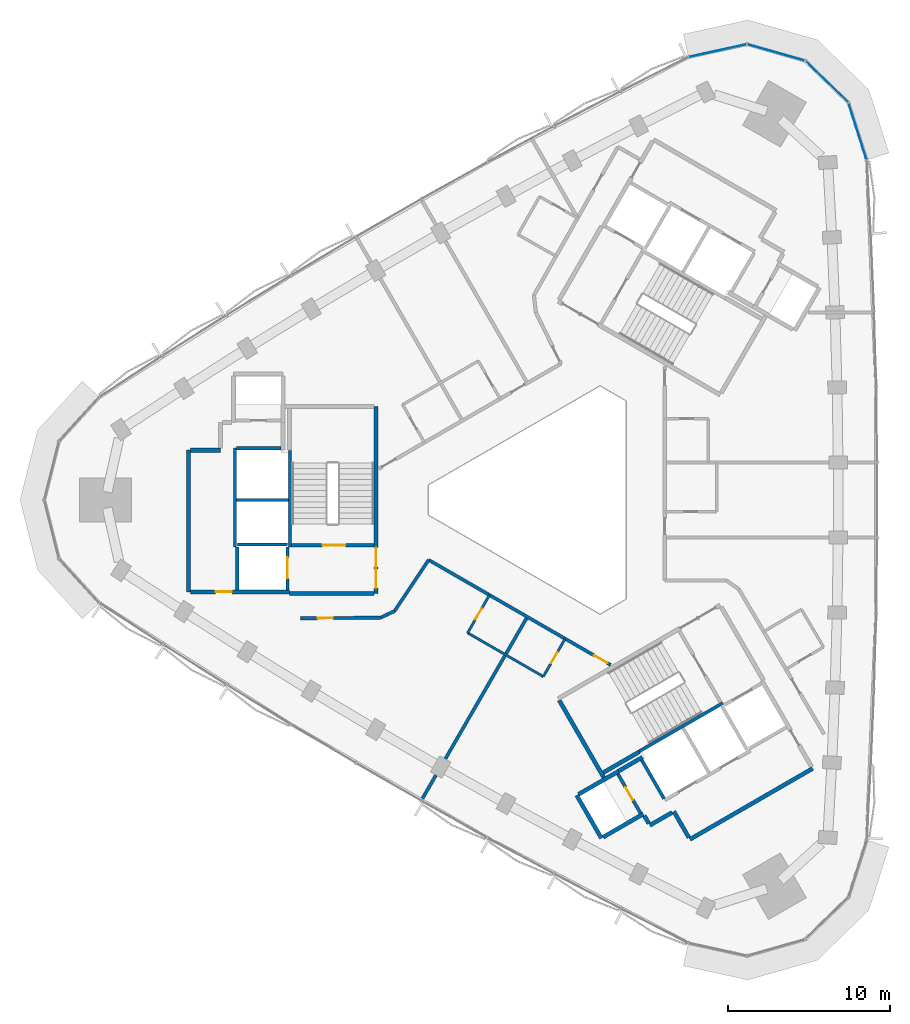
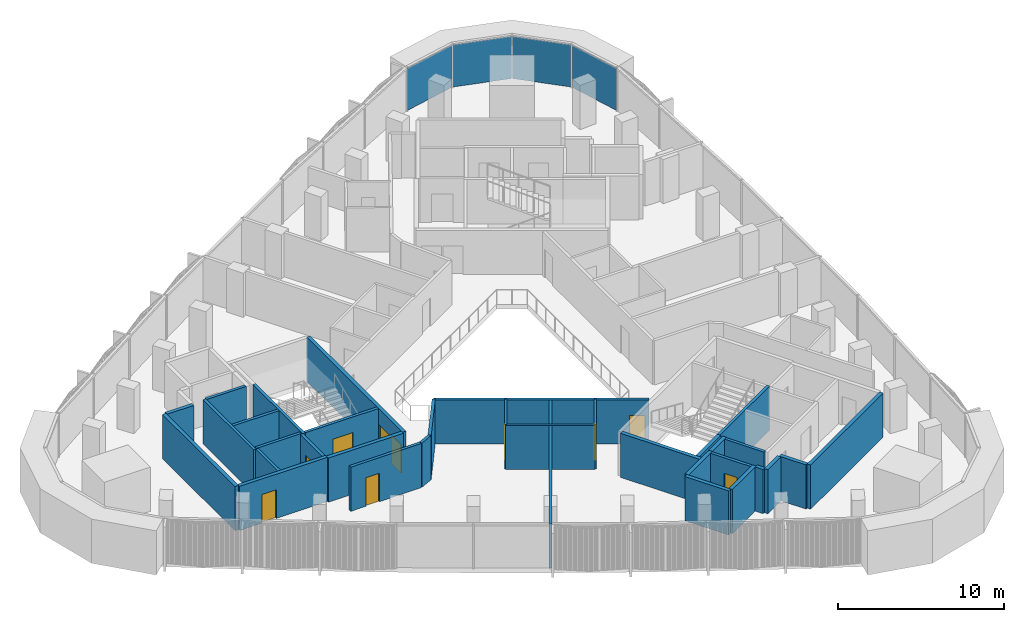
# One storey, part 7 of 13: 34 walls, 10 doors, 4 plates, 10 openings, 1 element without a shape of its own.
"""IFC4 building model written with IfcOpenShell, lengths in metres."""

from ifc_helpers import new_model, si_unit, direction, frame, frame_2d, origin, origin_2d, place, context, subcontext, project, spatial, rectangle, extrude, material, layer, layer_set, type_object, element, fill, aggregate, save


model = new_model("IFC4")

# Units and contexts
model_context = context("Model", 3, precision=1e-05, world=origin(), true_north=direction((0.0, 1.0)))
body_context = subcontext(model_context, "Body", "Model", "MODEL_VIEW")
ifc_project = project(units=[si_unit("LENGTHUNIT", "METRE"), si_unit("AREAUNIT", "SQUARE_METRE"), si_unit("VOLUMEUNIT", "CUBIC_METRE"), si_unit("PLANEANGLEUNIT", "RADIAN"), si_unit("MASSUNIT", "GRAM", prefix="KILO")], contexts=[model_context])

# Site, building, storey
site_placement = place(None, origin())
site = spatial("IfcSite", under=ifc_project, at=site_placement, CompositionType="ELEMENT")
building_placement = place(site_placement, origin())
building = spatial("IfcBuilding", under=site, at=building_placement, Name="Tamra Quay Hotel Tower", CompositionType="ELEMENT")
storey_placement = place(building_placement, frame((0.0, 0.0, 193.60009765625)))
storey = spatial("IfcBuildingStorey", under=building, at=storey_placement, Name="L48", CompositionType="ELEMENT", Elevation=193.60009765625)

# Curtain wall, plates
ifc_material_1 = material(Name="Aluminium 6063 anodised dark grey", Category="aluminium")
curtain_wall_type = type_object("IfcCurtainWallType", Name="CW1 CURTAIN WALL", PredefinedType="NOTDEFINED", material=ifc_material_1)
curtain_wall_placement = place(storey_placement, origin())
curtain_wall = element("IfcCurtainWall", 1, at=curtain_wall_placement, inside=storey, type_object=curtain_wall_type, Name="CW1 east face L48", PredefinedType="NOTDEFINED")
ifc_material_2 = material(Name="Glass clear laminated low-iron", Category="glass")
ifc_layer_1 = layer(ifc_material_2, 0.030029296875)
ifc_layer_set_1 = layer_set([ifc_layer_1], Name="GLASS PANEL CW1 Z4")
plate_type = type_object("IfcPlateType", Name="GLASS PANEL CW1 Z4", PredefinedType="CURTAIN_PANEL", material=ifc_layer_set_1)
plate_1_placement = place(storey_placement, frame((18.91064453125, 22.779541015625, 0.0), z_axis=(0.0, 0.0, 1.0), x_axis=(-0.303410479682, 0.952859948166, 0.0)))
plate_1 = element("IfcPlate", 2, at=plate_1_placement, type_object=plate_type, Name="CW1 glass L48.E.10", PredefinedType="CURTAIN_PANEL", context=body_context, shape_type="SweptSolid", body=[
    extrude(rectangle(XDim=3.62353515625, YDim=0.030029296875, at=origin_2d()), origin(), (0.0, 0.0, 1.0), 3.110107421875),
])
plate_2_placement = place(storey_placement, frame((17.009033203125, 25.849365234375, 0.0), z_axis=(0.0, 0.0, 1.0), x_axis=(-0.717974699393, 0.696069199888, 0.0)))
plate_2 = element("IfcPlate", 3, at=plate_2_placement, type_object=plate_type, Name="CW1 glass L48.E.11", PredefinedType="CURTAIN_PANEL", context=body_context, shape_type="SweptSolid", body=[
    extrude(rectangle(XDim=3.62353515625, YDim=0.030029296875, at=origin_2d()), origin(), (0.0, 0.0, 1.0), 3.110107421875),
])
plate_3_placement = place(storey_placement, frame((13.881591796875, 27.655029296875, 0.0), z_axis=(0.0, 0.0, 1.0), x_axis=(-0.961800959591, 0.273749729005, 0.0)))
plate_3 = element("IfcPlate", 4, at=plate_3_placement, type_object=plate_type, Name="CW1 glass L48.E.12", PredefinedType="CURTAIN_PANEL", context=body_context, shape_type="SweptSolid", body=[
    extrude(rectangle(XDim=3.62353515625, YDim=0.030029296875, at=origin_2d()), origin(), (0.0, 0.0, 1.0), 3.110107421875),
])
plate_4_placement = place(storey_placement, frame((10.272216796875, 27.766845703125, 0.0), z_axis=(0.0, 0.0, 1.0), x_axis=(-0.976906161202, -0.213668790904, 0.0)))
plate_4 = element("IfcPlate", 5, at=plate_4_placement, type_object=plate_type, Name="CW1 glass L48.E.13", PredefinedType="CURTAIN_PANEL", context=body_context, shape_type="SweptSolid", body=[
    extrude(rectangle(XDim=3.62353515625, YDim=0.030029296875, at=origin_2d()), origin(), (0.0, 0.0, 1.0), 3.110107421875),
])
aggregate(curtain_wall, [plate_1, plate_2, plate_3, plate_4])

# Walls
ifc_material_3 = material(Name="Concrete M70", Category="concrete")
ifc_layer_2 = layer(ifc_material_3, 0.199951171875)
ifc_layer_set_2 = layer_set([ifc_layer_2], Name="Concrete M70 core wall 200")
wall_type_1 = type_object("IfcWallType", Name="Concrete M70 core wall 200", PredefinedType="SHEAR", material=ifc_layer_set_2)
wall_1_placement = place(storey_placement, frame((-16.162109375, 3.073974609375, 0.0), z_axis=(0.0, 0.0, 1.0), x_axis=(0.0, -1.0, 0.0)))
element("IfcWall", 6, at=wall_1_placement, inside=storey, type_object=wall_type_1, Name="CW2", PredefinedType="SHEAR", context=body_context, shape_type="SweptSolid", body=[
    extrude(rectangle(XDim=5.97412109375, YDim=0.199951171875, at=frame_2d((2.987060546875, 0.0))), origin(), (0.0, 0.0, 1.0), 3.25),
])
wall_2_placement = place(storey_placement, frame((-19.5625, -2.900146484375, 0.0), z_axis=(0.0, 0.0, 1.0), x_axis=(0.0, 1.0, 0.0)))
element("IfcWall", 7, at=wall_2_placement, inside=storey, type_object=wall_type_1, Name="CW2", PredefinedType="SHEAR", context=body_context, shape_type="SweptSolid", body=[
    extrude(rectangle(XDim=6.100341796875, YDim=0.199951171875, at=frame_2d((3.05029296875, 0.0))), origin(), (0.0, 0.0, 1.0), 3.25),
])

# Wall, opening, door
wall_3_placement = place(storey_placement, frame((-10.96337890625, -2.800048828125, 0.0), z_axis=(0.0, 0.0, 1.0), x_axis=(-1.0, 0.0, 0.0)))
wall_3 = element("IfcWall", 8, at=wall_3_placement, inside=storey, type_object=wall_type_1, Name="CW2", PredefinedType="SHEAR", context=body_context, shape_type="SweptSolid", body=[
    extrude(rectangle(XDim=5.097900390625, YDim=0.199951171875, at=frame_2d((2.548828125, 0.0))), origin(), (0.0, 0.0, 1.0), 3.25),
])
opening_1_placement = place(wall_3_placement, frame((1.77392578125, 0.0, 0.0)))
opening_1 = element("IfcOpeningElement", 9, at=opening_1_placement, cuts=wall_3, Name="Opening FD2", PredefinedType="OPENING", context=body_context, shape_type="SweptSolid", body=[
    extrude(rectangle(XDim=1.39990234375, YDim=2.10009765625, at=frame_2d((0.699951171875, 1.050048828125))), frame((0.0, 0.10986328125, 0.0), z_axis=(0.0, -1.0, 0.0), x_axis=(1.0, 0.0, 0.0)), (0.0, 0.0, 1.0), 0.219970703125),
])
ifc_material_4 = material(Name="Core door FD2 1400x2100 LH")
door_type_1 = type_object("IfcDoorType", Name="Core door FD2 1400x2100 LH", OperationType="NOTDEFINED", PredefinedType="DOOR", material=ifc_material_4)
door_1_placement = place(opening_1_placement, origin())
door_1 = element("IfcDoor", 10, at=door_1_placement, inside=storey, type_object=door_type_1, Name="FD2", OperationType="SINGLE_SWING_LEFT", OverallHeight=2.10009765625, OverallWidth=1.39990234375, PredefinedType="DOOR", context=body_context, shape_type="SweptSolid", body=[
    extrude(rectangle(XDim=1.39990234375, YDim=2.10009765625, at=frame_2d((0.699951171875, 1.050048828125))), frame((0.0, 0.02490234375, 0.0), z_axis=(0.0, -1.0, 0.0), x_axis=(1.0, 0.0, 0.0)), (0.0, 0.0, 1.0), 0.050048828125),
])
fill(opening_1, door_1)

# Walls
wall_4_placement = place(storey_placement, frame((-16.26318359375, 0.0, 0.0), z_axis=(0.0, 0.0, 1.0), x_axis=(-1.0, 0.0, 0.0)))
element("IfcWall", 11, at=wall_4_placement, inside=storey, type_object=wall_type_1, Name="CW2", PredefinedType="SHEAR", context=body_context, shape_type="SweptSolid", body=[
    extrude(rectangle(XDim=3.1982421875, YDim=0.199951171875, at=frame_2d((1.59912109375, 0.0))), origin(), (0.0, 0.0, 1.0), 3.25),
])
wall_5_placement = place(storey_placement, frame((-19.46240234375, 3.2001953125, 0.0), z_axis=(0.0, 0.0, 1.0), x_axis=(1.0, 0.0, 0.0)))
element("IfcWall", 12, at=wall_5_placement, inside=storey, type_object=wall_type_1, Name="CW2", PredefinedType="SHEAR", context=body_context, shape_type="SweptSolid", body=[
    extrude(rectangle(XDim=2.759033203125, YDim=0.199951171875, at=frame_2d((1.37939453125, 0.0))), origin(), (0.0, 0.0, 1.0), 3.25),
])
wall_6_placement = place(storey_placement, frame((-19.412353515625, -2.75, 0.0), z_axis=(0.0, 0.0, 1.0), x_axis=(1.0, 0.0, 0.0)))
element("IfcWall", 13, at=wall_6_placement, inside=storey, type_object=wall_type_1, Name="CW2", PredefinedType="SHEAR", context=body_context, shape_type="SweptSolid", body=[
    extrude(rectangle(XDim=3.10009765625, YDim=0.199951171875, at=frame_2d((1.550048828125, 0.0))), origin(), (0.0, 0.0, 1.0), 3.25),
])

# Wall, opening, door
wall_7_placement = place(storey_placement, frame((-16.312255859375, -2.898193359375, 0.0), z_axis=(0.0, 0.0, 1.0), x_axis=(0.0, -1.0, 0.0)))
wall_7 = element("IfcWall", 14, at=wall_7_placement, inside=storey, type_object=wall_type_1, Name="CW2", PredefinedType="SHEAR", context=body_context, shape_type="SweptSolid", body=[
    extrude(rectangle(XDim=2.65087890625, YDim=0.199951171875, at=frame_2d((1.325439453125, 0.0))), origin(), (0.0, 0.0, 1.0), 3.25),
])
opening_2_placement = place(wall_7_placement, frame((0.65185546875, 0.0, 0.0)))
opening_2 = element("IfcOpeningElement", 15, at=opening_2_placement, cuts=wall_7, Name="Opening LD", PredefinedType="OPENING", context=body_context, shape_type="SweptSolid", body=[
    extrude(rectangle(XDim=1.300048828125, YDim=2.10009765625, at=frame_2d((0.64990234375, 1.050048828125))), frame((0.0, 0.10986328125, 0.0), z_axis=(0.0, -1.0, 0.0), x_axis=(1.0, 0.0, 0.0)), (0.0, 0.0, 1.0), 0.219970703125),
])
ifc_material_5 = material(Name="Landing door LD 1300 sliding to left")
door_type_2 = type_object("IfcDoorType", Name="Landing door LD 1300 sliding to left", OperationType="NOTDEFINED", PredefinedType="DOOR", material=ifc_material_5)
door_2_placement = place(opening_2_placement, origin())
door_2 = element("IfcDoor", 16, at=door_2_placement, inside=storey, type_object=door_type_2, Name="LD", OperationType="SLIDING_TO_LEFT", OverallHeight=2.10009765625, OverallWidth=1.300048828125, PredefinedType="DOOR", context=body_context, shape_type="SweptSolid", body=[
    extrude(rectangle(XDim=1.300048828125, YDim=2.10009765625, at=frame_2d((0.64990234375, 1.050048828125))), frame((0.0, 0.02490234375, 0.0), z_axis=(0.0, -1.0, 0.0), x_axis=(1.0, 0.0, 0.0)), (0.0, 0.0, 1.0), 0.050048828125),
])
fill(opening_2, door_2)

# Walls
wall_8_placement = place(storey_placement, frame((-19.412353515625, -5.549072265625, 0.0), z_axis=(0.0, 0.0, 1.0), x_axis=(0.0, 1.0, 0.0)))
element("IfcWall", 17, at=wall_8_placement, inside=storey, type_object=wall_type_1, Name="CW2", PredefinedType="SHEAR", context=body_context, shape_type="SweptSolid", body=[
    extrude(rectangle(XDim=2.65087890625, YDim=0.199951171875, at=frame_2d((1.325439453125, 0.0))), origin(), (0.0, 0.0, 1.0), 3.25),
])
wall_9_placement = place(storey_placement, frame((5.4189453125, -15.533935546875, 0.0), z_axis=(0.0, 0.0, 1.0), x_axis=(0.866029065029, 0.499993658486, 0.0)))
element("IfcWall", 18, at=wall_9_placement, inside=storey, type_object=wall_type_1, Name="CW2", PredefinedType="SHEAR", context=body_context, shape_type="SweptSolid", body=[
    extrude(rectangle(XDim=5.97412109375, YDim=0.199951171875, at=frame_2d((2.987060546875, 0.0))), origin(), (0.0, 0.0, 1.0), 3.25),
])

# Wall, opening, door
wall_10_placement = place(storey_placement, frame((5.50341796875, -19.352294921875, 0.0), z_axis=(0.0, 0.0, 1.0), x_axis=(-0.499986818241, 0.866033014143, 0.0)))
wall_10 = element("IfcWall", 19, at=wall_10_placement, inside=storey, type_object=wall_type_1, Name="CW2", PredefinedType="SHEAR", context=body_context, shape_type="SweptSolid", body=[
    extrude(rectangle(XDim=2.7978515625, YDim=0.199951171875, at=frame_2d((1.39892578125, 0.0))), origin(), (0.0, 0.0, 1.0), 3.25),
])
opening_3_placement = place(wall_10_placement, frame((0.948974609375, 0.0, 0.0)))
opening_3 = element("IfcOpeningElement", 20, at=opening_3_placement, cuts=wall_10, Name="Opening D1", PredefinedType="OPENING", context=body_context, shape_type="SweptSolid", body=[
    extrude(rectangle(XDim=0.89990234375, YDim=2.10009765625, at=frame_2d((0.449951171875, 1.050048828125))), frame((0.0, 0.10986328125, 0.0), z_axis=(0.0, -1.0, 0.0), x_axis=(1.0, 0.0, 0.0)), (0.0, 0.0, 1.0), 0.219970703125),
])
ifc_material_6 = material(Name="Core door D1 900x2100 LH")
door_type_3 = type_object("IfcDoorType", Name="Core door D1 900x2100 LH", OperationType="NOTDEFINED", PredefinedType="DOOR", material=ifc_material_6)
door_3_placement = place(opening_3_placement, origin())
door_3 = element("IfcDoor", 21, at=door_3_placement, inside=storey, type_object=door_type_3, Name="D1", OperationType="SINGLE_SWING_LEFT", OverallHeight=2.10009765625, OverallWidth=0.89990234375, PredefinedType="DOOR", context=body_context, shape_type="SweptSolid", body=[
    extrude(rectangle(XDim=0.89990234375, YDim=2.10009765625, at=frame_2d((0.449951171875, 1.050048828125))), frame((0.0, 0.02490234375, 0.0), z_axis=(0.0, -1.0, 0.0), x_axis=(1.0, 0.0, 0.0)), (0.0, 0.0, 1.0), 0.050048828125),
])
fill(opening_3, door_3)

# Wall
wall_11_placement = place(storey_placement, frame((6.959716796875, -18.455078125, 0.0), z_axis=(0.0, 0.0, 1.0), x_axis=(-0.499926705758, 0.866067716099, 0.0)))
element("IfcWall", 22, at=wall_11_placement, inside=storey, type_object=wall_type_1, Name="CW2", PredefinedType="SHEAR", context=body_context, shape_type="SweptSolid", body=[
    extrude(rectangle(XDim=2.75927734375, YDim=0.199951171875, at=frame_2d((1.379638671875, 0.0))), origin(), (0.0, 0.0, 1.0), 3.25),
])

# Wall, openings, doors
ifc_layer_3 = layer(ifc_material_3, 0.25)
ifc_layer_set_3 = layer_set([ifc_layer_3], Name="Concrete M70 core wall 250")
wall_type_2 = type_object("IfcWallType", Name="Concrete M70 core wall 250", PredefinedType="SHEAR", material=ifc_layer_set_3)
wall_12_placement = place(storey_placement, frame((-10.83740234375, 5.77490234375, 0.0), z_axis=(0.0, 0.0, 1.0), x_axis=(0.0, -1.0, 0.0)))
wall_12 = element("IfcWall", 23, at=wall_12_placement, inside=storey, type_object=wall_type_2, Name="CW1", PredefinedType="SHEAR", context=body_context, shape_type="SweptSolid", body=[
    extrude(rectangle(XDim=11.5498046875, YDim=0.25, at=frame_2d((5.77490234375, 0.0))), origin(), (0.0, 0.0, 1.0), 3.25),
])
opening_4_placement = place(wall_12_placement, frame((10.02490234375, 0.0, 0.0)))
opening_4 = element("IfcOpeningElement", 24, at=opening_4_placement, cuts=wall_12, Name="Opening FD1", PredefinedType="OPENING", context=body_context, shape_type="SweptSolid", body=[
    extrude(rectangle(XDim=1.199951171875, YDim=2.10009765625, at=frame_2d((0.60009765625, 1.050048828125))), frame((0.0, 0.135009765625, 0.0), z_axis=(0.0, -1.0, 0.0), x_axis=(1.0, 0.0, 0.0)), (0.0, 0.0, 1.0), 0.27001953125),
])
opening_5_placement = place(wall_12_placement, frame((8.72509765625, 0.0, 0.0)))
opening_5 = element("IfcOpeningElement", 25, at=opening_5_placement, cuts=wall_12, Name="Opening FD1", PredefinedType="OPENING", context=body_context, shape_type="SweptSolid", body=[
    extrude(rectangle(XDim=1.199951171875, YDim=2.10009765625, at=frame_2d((0.60009765625, 1.050048828125))), frame((0.0, 0.135009765625, 0.0), z_axis=(0.0, -1.0, 0.0), x_axis=(1.0, 0.0, 0.0)), (0.0, 0.0, 1.0), 0.27001953125),
])
ifc_material_7 = material(Name="Core door FD1 1200x2100 LH")
door_type_4 = type_object("IfcDoorType", Name="Core door FD1 1200x2100 LH", OperationType="NOTDEFINED", PredefinedType="DOOR", material=ifc_material_7)
door_4_placement = place(opening_4_placement, origin())
door_4 = element("IfcDoor", 26, at=door_4_placement, inside=storey, type_object=door_type_4, Name="FD1", OperationType="SINGLE_SWING_LEFT", OverallHeight=2.10009765625, OverallWidth=1.199951171875, PredefinedType="DOOR", context=body_context, shape_type="SweptSolid", body=[
    extrude(rectangle(XDim=1.199951171875, YDim=2.10009765625, at=frame_2d((0.60009765625, 1.050048828125))), frame((0.0, 0.02490234375, 0.0), z_axis=(0.0, -1.0, 0.0), x_axis=(1.0, 0.0, 0.0)), (0.0, 0.0, 1.0), 0.050048828125),
])
fill(opening_4, door_4)
ifc_material_8 = material(Name="Core door FD1 1200x2100 RH")
door_type_5 = type_object("IfcDoorType", Name="Core door FD1 1200x2100 RH", OperationType="NOTDEFINED", PredefinedType="DOOR", material=ifc_material_8)
door_5_placement = place(opening_5_placement, origin())
door_5 = element("IfcDoor", 27, at=door_5_placement, inside=storey, type_object=door_type_5, Name="FD1", OperationType="SINGLE_SWING_RIGHT", OverallHeight=2.10009765625, OverallWidth=1.199951171875, PredefinedType="DOOR", context=body_context, shape_type="SweptSolid", body=[
    extrude(rectangle(XDim=1.199951171875, YDim=2.10009765625, at=frame_2d((0.60009765625, 1.050048828125))), frame((0.0, 0.02490234375, 0.0), z_axis=(0.0, -1.0, 0.0), x_axis=(1.0, 0.0, 0.0)), (0.0, 0.0, 1.0), 0.050048828125),
])
fill(opening_5, door_5)

# Wall
wall_13_placement = place(storey_placement, frame((-22.437255859375, -5.675048828125, 0.0), z_axis=(0.0, 0.0, 1.0), x_axis=(0.0, 1.0, 0.0)))
element("IfcWall", 28, at=wall_13_placement, inside=storey, type_object=wall_type_2, Name="CW1", PredefinedType="SHEAR", context=body_context, shape_type="SweptSolid", body=[
    extrude(rectangle(XDim=8.75, YDim=0.25, at=frame_2d((4.375, 0.0))), origin(), (0.0, 0.0, 1.0), 3.25),
])

# Wall, opening, door
wall_14_placement = place(storey_placement, frame((-16.187255859375, -5.675048828125, 0.0), z_axis=(0.0, 0.0, 1.0), x_axis=(-1.0, 0.0, 0.0)))
wall_14 = element("IfcWall", 29, at=wall_14_placement, inside=storey, type_object=wall_type_2, Name="CW1", PredefinedType="SHEAR", context=body_context, shape_type="SweptSolid", body=[
    extrude(rectangle(XDim=6.12451171875, YDim=0.25, at=frame_2d((3.062255859375, 0.0))), origin(), (0.0, 0.0, 1.0), 3.25),
])
opening_6_placement = place(wall_14_placement, frame((3.562744140625, 0.0, 0.0)))
opening_6 = element("IfcOpeningElement", 30, at=opening_6_placement, cuts=wall_14, Name="Opening FD3", PredefinedType="OPENING", context=body_context, shape_type="SweptSolid", body=[
    extrude(rectangle(XDim=1.0, YDim=2.10009765625, at=frame_2d((0.5, 1.050048828125))), frame((0.0, 0.135009765625, 0.0), z_axis=(0.0, -1.0, 0.0), x_axis=(1.0, 0.0, 0.0)), (0.0, 0.0, 1.0), 0.27001953125),
])
ifc_material_9 = material(Name="Core door FD3 1000x2100 LH")
door_type_6 = type_object("IfcDoorType", Name="Core door FD3 1000x2100 LH", OperationType="NOTDEFINED", PredefinedType="DOOR", material=ifc_material_9)
door_6_placement = place(opening_6_placement, origin())
door_6 = element("IfcDoor", 31, at=door_6_placement, inside=storey, type_object=door_type_6, Name="FD3", OperationType="SINGLE_SWING_LEFT", OverallHeight=2.10009765625, OverallWidth=1.0, PredefinedType="DOOR", context=body_context, shape_type="SweptSolid", body=[
    extrude(rectangle(XDim=1.0, YDim=2.10009765625, at=frame_2d((0.5, 1.050048828125))), frame((0.0, 0.02490234375, 0.0), z_axis=(0.0, -1.0, 0.0), x_axis=(1.0, 0.0, 0.0)), (0.0, 0.0, 1.0), 0.050048828125),
])
fill(opening_6, door_6)

# Walls
wall_15_placement = place(storey_placement, frame((-10.962646484375, -5.77490234375, 0.0), z_axis=(0.0, 0.0, 1.0), x_axis=(-1.0, 0.0, 0.0)))
element("IfcWall", 32, at=wall_15_placement, inside=storey, type_object=wall_type_2, Name="CW1", PredefinedType="SHEAR", context=body_context, shape_type="SweptSolid", body=[
    extrude(rectangle(XDim=5.224609375, YDim=0.25, at=frame_2d((2.6123046875, 0.0))), origin(), (0.0, 0.0, 1.0), 3.25),
])
wall_16_placement = place(storey_placement, frame((-22.311767578125, 3.074951171875, 0.0), z_axis=(0.0, 0.0, 1.0), x_axis=(1.0, 0.0, 0.0)))
element("IfcWall", 33, at=wall_16_placement, inside=storey, type_object=wall_type_2, Name="CW1", PredefinedType="SHEAR", context=body_context, shape_type="SweptSolid", body=[
    extrude(rectangle(XDim=1.864501953125, YDim=0.25, at=frame_2d((0.93212890625, 0.0))), origin(), (0.0, 0.0, 1.0), 3.25),
])
wall_17_placement = place(storey_placement, frame((16.13330078125, -16.59375, 0.0), z_axis=(0.0, 0.0, 1.0), x_axis=(-0.866022959057, -0.500004234368, 0.0)))
element("IfcWall", 34, at=wall_17_placement, inside=storey, type_object=wall_type_2, Name="CW1", PredefinedType="SHEAR", context=body_context, shape_type="SweptSolid", body=[
    extrude(rectangle(XDim=8.75, YDim=0.25, at=frame_2d((4.375, 0.0))), origin(), (0.0, 0.0, 1.0), 3.25),
])
wall_18_placement = place(storey_placement, frame((3.23486328125, -17.15283203125, 0.0), z_axis=(0.0, 0.0, 1.0), x_axis=(-0.500008851346, 0.866020293397, 0.0)))
element("IfcWall", 35, at=wall_18_placement, inside=storey, type_object=wall_type_2, Name="CW1", PredefinedType="SHEAR", context=body_context, shape_type="SweptSolid", body=[
    extrude(rectangle(XDim=5.509765625, YDim=0.25, at=frame_2d((2.7548828125, 0.0))), origin(), (0.0, 0.0, 1.0), 3.25),
])
wall_19_placement = place(storey_placement, frame((3.085205078125, -20.893798828125, 0.0), z_axis=(0.0, 0.0, 1.0), x_axis=(-0.499978833458, 0.866037623948, 0.0)))
element("IfcWall", 36, at=wall_19_placement, inside=storey, type_object=wall_type_2, Name="CW1", PredefinedType="SHEAR", context=body_context, shape_type="SweptSolid", body=[
    extrude(rectangle(XDim=3.050048828125, YDim=0.25, at=frame_2d((1.52490234375, 0.0))), origin(), (0.0, 0.0, 1.0), 3.25),
])
wall_20_placement = place(storey_placement, frame((1.6689453125, -18.189697265625, 0.0), z_axis=(0.0, 0.0, 1.0), x_axis=(0.866042235819, 0.499970844928, 0.0)))
element("IfcWall", 37, at=wall_20_placement, inside=storey, type_object=wall_type_2, Name="CW1", PredefinedType="SHEAR", context=body_context, shape_type="SweptSolid", body=[
    extrude(rectangle(XDim=2.864501953125, YDim=0.25, at=frame_2d((1.43212890625, 0.0))), origin(), (0.0, 0.0, 1.0), 3.25),
])
wall_21_placement = place(storey_placement, frame((5.6748046875, -19.39892578125, 0.0), z_axis=(0.0, 0.0, 1.0), x_axis=(-0.866026637627, -0.499997862916, 0.0)))
element("IfcWall", 38, at=wall_21_placement, inside=storey, type_object=wall_type_2, Name="CW1", PredefinedType="SHEAR", context=body_context, shape_type="SweptSolid", body=[
    extrude(rectangle(XDim=2.86474609375, YDim=0.25, at=frame_2d((1.432373046875, 0.0))), origin(), (0.0, 0.0, 1.0), 3.25),
])
wall_22_placement = place(storey_placement, frame((5.4306640625, -15.55615234375, 0.0), z_axis=(0.0, 0.0, 1.0), x_axis=(-0.866022940537, -0.500004266446, 0.0)))
element("IfcWall", 39, at=wall_22_placement, inside=storey, type_object=wall_type_2, Name="CW1", PredefinedType="SHEAR", context=body_context, shape_type="SweptSolid", body=[
    extrude(rectangle(XDim=2.57470703125, YDim=0.25, at=frame_2d((1.287353515625, 0.0))), origin(), (0.0, 0.0, 1.0), 3.25),
])
wall_23_placement = place(storey_placement, frame((8.492919921875, -20.860107421875, 0.0), z_axis=(0.0, 0.0, 1.0), x_axis=(-0.500039802285, 0.866002422705, 0.0)))
element("IfcWall", 40, at=wall_23_placement, inside=storey, type_object=wall_type_2, Name="CW1", PredefinedType="SHEAR", context=body_context, shape_type="SweptSolid", body=[
    extrude(rectangle(XDim=1.864501953125, YDim=0.25, at=frame_2d((0.93212890625, 0.0))), origin(), (0.0, 0.0, 1.0), 3.25),
])
wall_24_placement = place(storey_placement, frame((4.144775390625, -16.748779296875, 0.0), z_axis=(0.0, 0.0, 1.0), x_axis=(0.866038183914, 0.499977863513, 0.0)))
element("IfcWall", 41, at=wall_24_placement, inside=storey, type_object=wall_type_2, Name="CW1", PredefinedType="SHEAR", context=body_context, shape_type="SweptSolid", body=[
    extrude(rectangle(XDim=1.7099609375, YDim=0.25, at=frame_2d((0.85498046875, 0.0))), origin(), (0.0, 0.0, 1.0), 3.25),
])
wall_25_placement = place(storey_placement, frame((7.451904296875, -19.30810546875, 0.0), z_axis=(0.0, 0.0, 1.0), x_axis=(-0.866044474677, -0.49996696679, 0.0)))
element("IfcWall", 42, at=wall_25_placement, inside=storey, type_object=wall_type_2, Name="CW1", PredefinedType="SHEAR", context=body_context, shape_type="SweptSolid", body=[
    extrude(rectangle(XDim=1.58447265625, YDim=0.25, at=frame_2d((0.792236328125, 0.0))), origin(), (0.0, 0.0, 1.0), 3.25),
])
wall_26_placement = place(storey_placement, frame((6.01708984375, -19.99169921875, 0.0), z_axis=(0.0, 0.0, 1.0), x_axis=(-0.500364886717, 0.865814633822, 0.0)))
element("IfcWall", 43, at=wall_26_placement, inside=storey, type_object=wall_type_2, Name="CW1", PredefinedType="SHEAR", context=body_context, shape_type="SweptSolid", body=[
    extrude(rectangle(XDim=0.55908203125, YDim=0.25, at=frame_2d((0.279541015625, 0.0))), origin(), (0.0, 0.0, 1.0), 3.25),
])

# Wall, opening, door
ifc_material_10 = material(Name="Partition corridor wall")
ifc_layer_4 = layer(ifc_material_10, 0.199951171875)
ifc_layer_set_4 = layer_set([ifc_layer_4], Name="Partition corridor wall")
wall_type_3 = type_object("IfcWallType", Name="Partition corridor wall", PredefinedType="PARTITIONING", material=ifc_layer_set_4)
wall_27_placement = place(storey_placement, frame((-15.5, -7.31005859375, 0.0), z_axis=(0.0, 0.0, 1.0), x_axis=(0.999965631649, 0.008290688749, 0.0)))
wall_27 = element("IfcWall", 44, at=wall_27_placement, inside=storey, type_object=wall_type_3, Name="W-C", PredefinedType="PARTITIONING", context=body_context, shape_type="SweptSolid", body=[
    extrude(rectangle(XDim=4.947265625, YDim=0.199951171875, at=frame_2d((2.4736328125, 0.0))), origin(), (0.0, 0.0, 1.0), 3.25),
])
opening_7_placement = place(wall_27_placement, frame((1.047119140625, 0.0, 0.0)))
opening_7 = element("IfcOpeningElement", 45, at=opening_7_placement, cuts=wall_27, Name="Opening L48-D007", PredefinedType="OPENING", context=body_context, shape_type="SweptSolid", body=[
    extrude(rectangle(XDim=0.949951171875, YDim=2.10009765625, at=frame_2d((0.47509765625, 1.050048828125))), frame((0.0, 0.10986328125, 0.0), z_axis=(0.0, -1.0, 0.0), x_axis=(1.0, 0.0, 0.0)), (0.0, 0.0, 1.0), 0.219970703125),
])
ifc_material_11 = material(Name="Door guest room 950x2100")
door_type_7 = type_object("IfcDoorType", Name="Door guest room 950x2100", OperationType="NOTDEFINED", PredefinedType="DOOR", material=ifc_material_11)
door_7_placement = place(opening_7_placement, frame((0.949951171875, 0.0, 0.0), z_axis=(0.0, 0.0, 1.0), x_axis=(-1.0, 0.0, 0.0)))
door_7 = element("IfcDoor", 46, at=door_7_placement, inside=storey, type_object=door_type_7, Name="L48-D007", OperationType="SINGLE_SWING_LEFT", OverallHeight=2.10009765625, OverallWidth=0.949951171875, PredefinedType="DOOR", context=body_context, shape_type="SweptSolid", body=[
    extrude(rectangle(XDim=0.949951171875, YDim=2.10009765625, at=frame_2d((0.47509765625, 1.050048828125))), frame((0.0, 0.02490234375, 0.0), z_axis=(0.0, -1.0, 0.0), x_axis=(1.0, 0.0, 0.0)), (0.0, 0.0, 1.0), 0.050048828125),
])
fill(opening_7, door_7)

# Walls
wall_28_placement = place(storey_placement, frame((-10.552001953125, -7.26806640625, 0.0), z_axis=(0.0, 0.0, 1.0), x_axis=(0.904331815333, 0.426830139255, 0.0)))
element("IfcWall", 47, at=wall_28_placement, inside=storey, type_object=wall_type_3, Name="W-C", PredefinedType="PARTITIONING", context=body_context, shape_type="SweptSolid", body=[
    extrude(rectangle(XDim=0.9443359375, YDim=0.199951171875, at=frame_2d((0.47216796875, 0.0))), origin(), (0.0, 0.0, 1.0), 3.25),
])
wall_29_placement = place(storey_placement, frame((-9.697021484375, -6.864013671875, 0.0), z_axis=(0.0, 0.0, 1.0), x_axis=(0.554670545446, 0.832070060761, 0.0)))
element("IfcWall", 48, at=wall_29_placement, inside=storey, type_object=wall_type_3, Name="W-C", PredefinedType="PARTITIONING", context=body_context, shape_type="SweptSolid", body=[
    extrude(rectangle(XDim=3.80029296875, YDim=0.199951171875, at=frame_2d((1.900146484375, 0.0))), origin(), (0.0, 0.0, 1.0), 3.25),
])

# Wall, opening, door
wall_30_placement = place(storey_placement, frame((-7.589111328125, -3.701904296875, 0.0), z_axis=(0.0, 0.0, 1.0), x_axis=(0.86602490244, -0.500000868353, 0.0)))
wall_30 = element("IfcWall", 49, at=wall_30_placement, inside=storey, type_object=wall_type_3, Name="W-C", PredefinedType="PARTITIONING", context=body_context, shape_type="SweptSolid", body=[
    extrude(rectangle(XDim=12.97998046875, YDim=0.199951171875, at=frame_2d((6.489990234375, 0.0))), origin(), (0.0, 0.0, 1.0), 3.25),
])
opening_8_placement = place(wall_30_placement, frame((11.80029296875, 0.0, 0.0)))
opening_8 = element("IfcOpeningElement", 50, at=opening_8_placement, cuts=wall_30, Name="Opening L48-D009", PredefinedType="OPENING", context=body_context, shape_type="SweptSolid", body=[
    extrude(rectangle(XDim=0.949951171875, YDim=2.10009765625, at=frame_2d((0.47509765625, 1.050048828125))), frame((0.0, 0.10986328125, 0.0), z_axis=(0.0, -1.0, 0.0), x_axis=(1.0, 0.0, 0.0)), (0.0, 0.0, 1.0), 0.219970703125),
])
door_8_placement = place(opening_8_placement, frame((0.949951171875, 0.0, 0.0), z_axis=(0.0, 0.0, 1.0), x_axis=(-1.0, 0.0, 0.0)))
door_8 = element("IfcDoor", 51, at=door_8_placement, inside=storey, type_object=door_type_7, Name="L48-D009", OperationType="SINGLE_SWING_LEFT", OverallHeight=2.10009765625, OverallWidth=0.949951171875, PredefinedType="DOOR", context=body_context, shape_type="SweptSolid", body=[
    extrude(rectangle(XDim=0.949951171875, YDim=2.10009765625, at=frame_2d((0.47509765625, 1.050048828125))), frame((0.0, 0.02490234375, 0.0), z_axis=(0.0, -1.0, 0.0), x_axis=(1.0, 0.0, 0.0)), (0.0, 0.0, 1.0), 0.050048828125),
])
fill(opening_8, door_8)

ifc_material_12 = material(Name="Partition en-suite wall")
ifc_layer_5 = layer(ifc_material_12, 0.14990234375)
ifc_layer_set_5 = layer_set([ifc_layer_5], Name="Partition en-suite wall")
wall_type_4 = type_object("IfcWallType", Name="Partition en-suite wall", PredefinedType="PARTITIONING", material=ifc_layer_set_5)
wall_31_placement = place(storey_placement, frame((-5.178955078125, -8.2080078125, 0.0), z_axis=(0.0, 0.0, 1.0), x_axis=(0.500061949227, 0.865989634427, 0.0)))
wall_31 = element("IfcWall", 52, at=wall_31_placement, inside=storey, type_object=wall_type_4, Name="W-E", PredefinedType="PARTITIONING", context=body_context, shape_type="SweptSolid", body=[
    extrude(rectangle(XDim=2.697509765625, YDim=0.14990234375, at=frame_2d((1.3486328125, 0.0))), origin(), (0.0, 0.0, 1.0), 3.25),
])
opening_9_placement = place(wall_31_placement, frame((0.947509765625, 0.0, 0.0)))
opening_9 = element("IfcOpeningElement", 53, at=opening_9_placement, cuts=wall_31, Name="Opening L48-D008", PredefinedType="OPENING", context=body_context, shape_type="SweptSolid", body=[
    extrude(rectangle(XDim=0.800048828125, YDim=2.10009765625, at=frame_2d((0.39990234375, 1.050048828125))), frame((0.0, 0.0849609375, 0.0), z_axis=(0.0, -1.0, 0.0), x_axis=(1.0, 0.0, 0.0)), (0.0, 0.0, 1.0), 0.169921875),
])
ifc_material_13 = material(Name="Door en-suite 800x2100")
door_type_8 = type_object("IfcDoorType", Name="Door en-suite 800x2100", OperationType="NOTDEFINED", PredefinedType="DOOR", material=ifc_material_13)
door_9_placement = place(opening_9_placement, origin())
door_9 = element("IfcDoor", 54, at=door_9_placement, inside=storey, type_object=door_type_8, Name="L48-D008", OperationType="SINGLE_SWING_LEFT", OverallHeight=2.10009765625, OverallWidth=0.800048828125, PredefinedType="DOOR", context=body_context, shape_type="SweptSolid", body=[
    extrude(rectangle(XDim=0.800048828125, YDim=2.10009765625, at=frame_2d((0.39990234375, 1.050048828125))), frame((0.0, 0.02490234375, 0.0), z_axis=(0.0, -1.0, 0.0), x_axis=(1.0, 0.0, 0.0)), (0.0, 0.0, 1.0), 0.050048828125),
])
fill(opening_9, door_9)

# Wall
wall_32_placement = place(storey_placement, frame((-5.177978515625, -8.2109375, 0.0), z_axis=(0.0, 0.0, 1.0), x_axis=(0.866046199912, -0.49996397832, 0.0)))
element("IfcWall", 55, at=wall_32_placement, inside=storey, type_object=wall_type_4, Name="W-E", PredefinedType="PARTITIONING", context=body_context, shape_type="SweptSolid", body=[
    extrude(rectangle(XDim=5.39599609375, YDim=0.14990234375, at=frame_2d((2.697998046875, 0.0))), origin(), (0.0, 0.0, 1.0), 3.25),
])

# Wall, opening, door
wall_33_placement = place(storey_placement, frame((-0.501953125, -10.907958984375, 0.0), z_axis=(0.0, 0.0, 1.0), x_axis=(0.499675408556, 0.866212725654, 0.0)))
wall_33 = element("IfcWall", 56, at=wall_33_placement, inside=storey, type_object=wall_type_4, Name="W-E", PredefinedType="PARTITIONING", context=body_context, shape_type="SweptSolid", body=[
    extrude(rectangle(XDim=2.695556640625, YDim=0.14990234375, at=frame_2d((1.34765625, 0.0))), origin(), (0.0, 0.0, 1.0), 3.25),
])
opening_10_placement = place(wall_33_placement, frame((0.947509765625, 0.0, 0.0)))
opening_10 = element("IfcOpeningElement", 57, at=opening_10_placement, cuts=wall_33, Name="Opening L48-D010", PredefinedType="OPENING", context=body_context, shape_type="SweptSolid", body=[
    extrude(rectangle(XDim=0.800048828125, YDim=2.10009765625, at=frame_2d((0.39990234375, 1.050048828125))), frame((0.0, 0.0849609375, 0.0), z_axis=(0.0, -1.0, 0.0), x_axis=(1.0, 0.0, 0.0)), (0.0, 0.0, 1.0), 0.169921875),
])
door_10_placement = place(opening_10_placement, frame((0.800048828125, 0.0, 0.0), z_axis=(0.0, 0.0, 1.0), x_axis=(-1.0, 0.0, 0.0)))
door_10 = element("IfcDoor", 58, at=door_10_placement, inside=storey, type_object=door_type_8, Name="L48-D010", OperationType="SINGLE_SWING_LEFT", OverallHeight=2.10009765625, OverallWidth=0.800048828125, PredefinedType="DOOR", context=body_context, shape_type="SweptSolid", body=[
    extrude(rectangle(XDim=0.800048828125, YDim=2.10009765625, at=frame_2d((0.39990234375, 1.050048828125))), frame((0.0, 0.02490234375, 0.0), z_axis=(0.0, -1.0, 0.0), x_axis=(1.0, 0.0, 0.0)), (0.0, 0.0, 1.0), 0.050048828125),
])
fill(opening_10, door_10)

# Wall
ifc_material_14 = material(Name="Partition party wall")
ifc_layer_6 = layer(ifc_material_14, 0.199951171875)
ifc_layer_set_6 = layer_set([ifc_layer_6], Name="Partition party wall")
wall_type_5 = type_object("IfcWallType", Name="Partition party wall", PredefinedType="PARTITIONING", material=ifc_layer_set_6)
wall_34_placement = place(storey_placement, frame((-8.05126953125, -18.582275390625, 0.0), z_axis=(0.0, 0.0, 1.0), x_axis=(0.500024249232, 0.866011403031, 0.0)))
element("IfcWall", 59, at=wall_34_placement, inside=storey, type_object=wall_type_5, Name="W-P", PredefinedType="PARTITIONING", context=body_context, shape_type="SweptSolid", body=[
    extrude(rectangle(XDim=13.117919921875, YDim=0.199951171875, at=frame_2d((6.55908203125, 0.0))), origin(), (0.0, 0.0, 1.0), 3.25),
])

save(model, "model.ifc")
